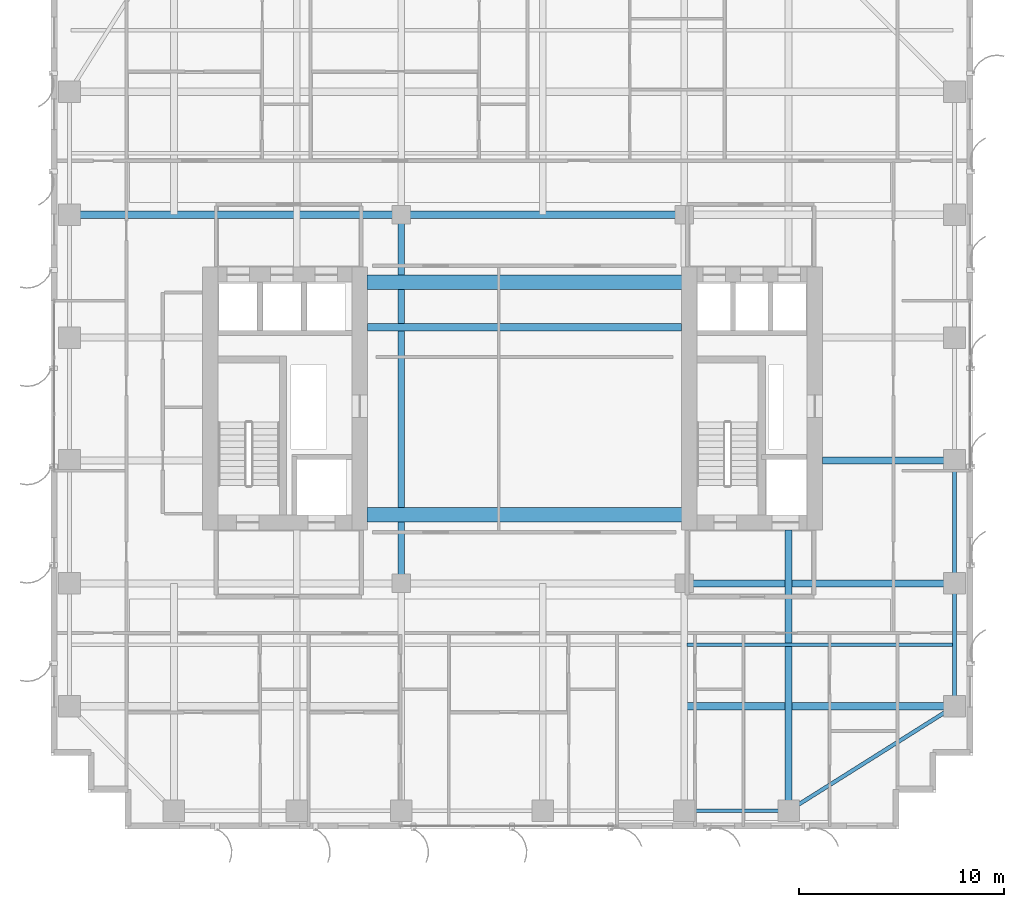
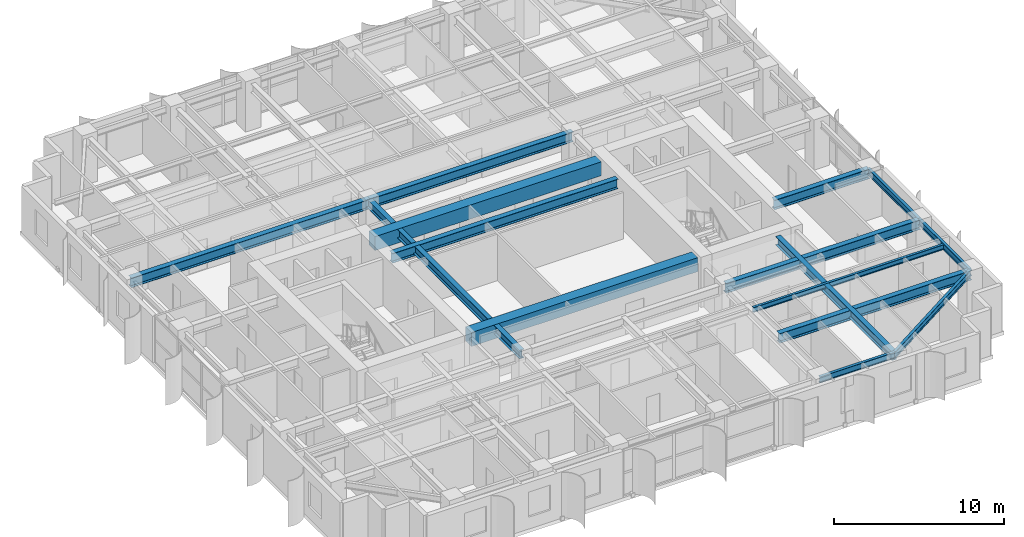
# One storey, part 5 of 22: 15 beams.
"""IFC4 building model written with IfcOpenShell, lengths in metres."""

import ifcopenshell
import ifcopenshell.guid

model = None  # the IFC model being written
_history = None  # IfcOwnerHistory: only IFC2X3 demands one
_inside = {}  # id of a spatial element -> (the spatial element, [elements in it])
_under = {}  # id of a project, library or spatial element -> (it, [spatial elements below it])
_declared = {}  # id of a project -> (the project, [libraries it declares])
_typed = {}  # id of a type object -> (the type object, [elements of that type])
_made_of = {}  # id of a material, layer set ... -> (it, [elements and type objects made of it])


def new_model(schema):
    """Start an empty IFC model of exactly this schema.

    Asked for "IFC4X3", IfcOpenShell would pick the latest addendum, in which some entities
    have other attributes; the version numbers below select the first issue.
    IFC2X3 requires an IfcOwnerHistory on every rooted entity: one is made here for all.
    """
    global model, _history
    if schema == "IFC4X3":
        model = ifcopenshell.file(schema_version=(4, 3, 0, 0))
    else:
        model = ifcopenshell.file(schema=schema)
    _inside.clear()
    _under.clear()
    _declared.clear()
    _typed.clear()
    _made_of.clear()
    _history = None
    if model.schema == "IFC2X3":
        org = make("IfcOrganization", Name="unknown")
        user = make(
            "IfcPersonAndOrganization",
            ThePerson=make("IfcPerson", FamilyName="unknown"),
            TheOrganization=org,
        )
        app = make(
            "IfcApplication",
            ApplicationDeveloper=org,
            Version="unknown",
            ApplicationFullName="unknown",
            ApplicationIdentifier="unknown",
        )
        _history = make(
            "IfcOwnerHistory",
            OwningUser=user,
            OwningApplication=app,
            ChangeAction="ADDED",
            CreationDate=0,
        )
    return model


def make(cls, **values):
    """One entity of the class cls with the attributes given. An attribute that is None is left unset."""
    return model.create_entity(
        cls, **{name: value for name, value in values.items() if value is not None}
    )


def rooted(cls, **values):
    """An entity with a GlobalId (a new one), such as an element, a storey or a relation."""
    return make(cls, GlobalId=ifcopenshell.guid.new(), OwnerHistory=_history, **values)


def si_unit(unit_type, name, prefix=None):
    """IfcSIUnit, for example si_unit("LENGTHUNIT", "METRE", prefix="MILLI")."""
    return make("IfcSIUnit", UnitType=unit_type, Prefix=prefix, Name=name)


def assignment(units):
    """IfcUnitAssignment: the units of a project."""
    return None if units is None else make("IfcUnitAssignment", Units=units)


def point(xyz):
    """IfcCartesianPoint."""
    return None if xyz is None else make("IfcCartesianPoint", Coordinates=xyz)


def direction(xyz):
    """IfcDirection."""
    return None if xyz is None else make("IfcDirection", DirectionRatios=xyz)


def frame(location, z_axis=None, x_axis=None):
    """IfcAxis2Placement3D, a coordinate frame: its origin and axes. An axis left out is left unset."""
    return make(
        "IfcAxis2Placement3D",
        Location=point(location),
        Axis=direction(z_axis),
        RefDirection=direction(x_axis),
    )


def frame_2d(location, x_axis=None):
    """IfcAxis2Placement2D, a coordinate frame in the plane: its origin and x axis."""
    return make(
        "IfcAxis2Placement2D", Location=point(location), RefDirection=direction(x_axis)
    )


def origin():
    """The frame at (0, 0, 0) with its axes left unset."""
    return frame((0.0, 0.0, 0.0))


def origin_2d():
    """The frame at (0, 0) in the plane with its x axis left unset."""
    return frame_2d((0.0, 0.0))


def place(relative_to, where):
    """IfcLocalPlacement: puts the frame where relative to a parent placement (None: the world)."""
    return make(
        "IfcLocalPlacement", PlacementRelTo=relative_to, RelativePlacement=where
    )


def context(
    kind, dimensions, precision=None, world=None, true_north=None, identifier=None
):
    """IfcGeometricRepresentationContext, for example the 3D "Model" context."""
    return make(
        "IfcGeometricRepresentationContext",
        ContextIdentifier=identifier,
        ContextType=kind,
        CoordinateSpaceDimension=dimensions,
        Precision=precision,
        WorldCoordinateSystem=world,
        TrueNorth=true_north,
    )


def subcontext(parent, identifier, kind, view, scale=None):
    """IfcGeometricRepresentationSubContext, for example "Body" below "Model"."""
    return make(
        "IfcGeometricRepresentationSubContext",
        ContextIdentifier=identifier,
        ContextType=kind,
        ParentContext=parent,
        TargetScale=scale,
        TargetView=view,
    )


def project(units=None, contexts=None):
    """IfcProject with its units and contexts."""
    return rooted(
        "IfcProject",
        Name="project",
        RepresentationContexts=contexts,
        UnitsInContext=assignment(units),
    )


def spatial(cls, under=None, at=None, **own):
    """A site, building, storey or space (cls), placed at a placement, below another one or the project."""
    s = rooted(cls, ObjectPlacement=at, **own)
    if under is not None:
        _under.setdefault(under.id(), (under, []))[1].append(s)
    return s


def profile(cls, at=None, kind="AREA", **sizes):
    """A parametric profile (cls). Its sizes go by their IFC names, for example OverallWidth=200.0."""
    return make(cls, ProfileType=kind, Position=at, **sizes)


def rectangle(**sizes):
    """IfcRectangleProfileDef."""
    return profile("IfcRectangleProfileDef", **sizes)


def i_section(**sizes):
    """IfcIShapeProfileDef."""
    return profile("IfcIShapeProfileDef", **sizes)


def extrude(swept, where, along, depth):
    """IfcExtrudedAreaSolid: the profile swept, set in the frame where, extruded along a direction by depth."""
    return make(
        "IfcExtrudedAreaSolid",
        SweptArea=swept,
        Position=where,
        ExtrudedDirection=direction(along),
        Depth=depth,
    )


def shape(context_of_items, identifier, shape_type, items):
    """IfcShapeRepresentation: the items that make up one representation, for example the "Body"."""
    return make(
        "IfcShapeRepresentation",
        ContextOfItems=context_of_items,
        RepresentationIdentifier=identifier,
        RepresentationType=shape_type,
        Items=items,
    )


def source(mapping_origin, context_of_items, identifier, shape_type, items):
    """IfcRepresentationMap: a shape defined once, which mapped items show again and again."""
    return make(
        "IfcRepresentationMap",
        MappingOrigin=mapping_origin,
        MappedRepresentation=shape(context_of_items, identifier, shape_type, items),
    )


def transform(
    local_origin,
    x_axis=None,
    y_axis=None,
    z_axis=None,
    scale=None,
    scale2=None,
    scale3=None,
    uniform=True,
):
    """IfcCartesianTransformationOperator3D, or its non-uniform kind. x_axis, y_axis, z_axis: its Axis1, 2, 3."""
    if uniform:
        return make(
            "IfcCartesianTransformationOperator3D",
            Axis1=direction(x_axis),
            Axis2=direction(y_axis),
            LocalOrigin=point(local_origin),
            Scale=scale,
            Axis3=direction(z_axis),
        )
    return make(
        "IfcCartesianTransformationOperator3DnonUniform",
        Axis1=direction(x_axis),
        Axis2=direction(y_axis),
        LocalOrigin=point(local_origin),
        Scale=scale,
        Axis3=direction(z_axis),
        Scale2=scale2,
        Scale3=scale3,
    )


def mapped(mapping_source, mapping_target):
    """IfcMappedItem: shows the shape of a source again, moved by a transform."""
    return make(
        "IfcMappedItem", MappingSource=mapping_source, MappingTarget=mapping_target
    )


def material(Name=None, Category=None):
    """IfcMaterial."""
    return make("IfcMaterial", Name=Name, Category=Category)


def material_profile(
    of_material, cross_section, Name=None, Category=None, Priority=None
):
    """IfcMaterialProfile: a cross section and its material."""
    return make(
        "IfcMaterialProfile",
        Name=Name,
        Material=of_material,
        Profile=cross_section,
        Priority=Priority,
        Category=Category,
    )


def profile_set(profiles, Name=None, composite=None):
    """IfcMaterialProfileSet."""
    return make(
        "IfcMaterialProfileSet",
        Name=Name,
        MaterialProfiles=profiles,
        CompositeProfile=composite,
    )


def made_of(thing, what):
    """Note that an element or type object is made of a material, layer set ...; save() writes the relation."""
    if what is not None:
        _made_of.setdefault(what.id(), (what, []))[1].append(thing)
    return thing


def type_object(cls, material=None, **own):
    """A type object (cls), such as IfcWallType, which elements share."""
    return made_of(rooted(cls, **own), material)


def element(
    cls,
    number,
    at=None,
    inside=None,
    cuts=None,
    type_object=None,
    material=None,
    context=None,
    identifier="Body",
    shape_type=None,
    held_by="IfcProductDefinitionShape",
    body=None,
    shapes=None,
    **own,
):
    """One element of the class cls, such as IfcWall. Its Tag is "e" and its number.

    at: its placement. inside: the storey or other place that contains it. cuts: it is an
    opening in that element (IfcRelVoidsElement). A single representation is given by context,
    identifier, shape_type and body (its items); several are given by shapes. held_by: the class
    of the entity that holds the representations. save() writes the other relations.
    """
    e = rooted(cls, Tag="e%d" % number, ObjectPlacement=at, **own)
    if body is not None:
        shapes = [shape(context, identifier, shape_type, body)]
    if shapes is not None:
        e.Representation = make(held_by, Representations=shapes)
    if inside is not None:
        _inside.setdefault(inside.id(), (inside, []))[1].append(e)
    if cuts is not None:
        rooted(
            "IfcRelVoidsElement", RelatingBuildingElement=cuts, RelatedOpeningElement=e
        )
    if type_object is not None:
        _typed.setdefault(type_object.id(), (type_object, []))[1].append(e)
    return made_of(e, material)


def aggregate(whole, parts):
    """IfcRelAggregates: a whole, such as a stair, and the parts it consists of."""
    return rooted("IfcRelAggregates", RelatingObject=whole, RelatedObjects=parts)


def save(model, path):
    """Write the relations noted so far, then the file.

    IfcRelAggregates (storeys below a building ...), IfcRelContainedInSpatialStructure (elements
    in a storey), IfcRelDefinesByType, IfcRelAssociatesMaterial and IfcRelDeclares: one each for
    every whole, place, type object, material and project.
    """
    for whole, parts in _under.values():
        aggregate(whole, parts)
    for where, things in _inside.values():
        rooted(
            "IfcRelContainedInSpatialStructure",
            RelatedElements=things,
            RelatingStructure=where,
        )
    for kind, things in _typed.values():
        rooted("IfcRelDefinesByType", RelatedObjects=things, RelatingType=kind)
    for what, things in _made_of.values():
        rooted("IfcRelAssociatesMaterial", RelatedObjects=things, RelatingMaterial=what)
    for by, libraries in _declared.values():
        rooted("IfcRelDeclares", RelatingContext=by, RelatedDefinitions=libraries)
    model.write(path)


model = new_model("IFC4")

# Units and contexts
model_context = context("Model", 3, precision=1e-05, world=origin(), true_north=direction((0.0, 1.0)))
body_context = subcontext(model_context, "Body", "Model", "MODEL_VIEW")
ifc_project = project(units=[si_unit("LENGTHUNIT", "METRE"), si_unit("AREAUNIT", "SQUARE_METRE"), si_unit("VOLUMEUNIT", "CUBIC_METRE"), si_unit("PLANEANGLEUNIT", "RADIAN"), si_unit("MASSUNIT", "GRAM", prefix="KILO")], contexts=[model_context])

# Site, building, storey
site_placement = place(None, origin())
site = spatial("IfcSite", under=ifc_project, at=site_placement, CompositionType="ELEMENT")
building_placement = place(site_placement, origin())
building = spatial("IfcBuilding", under=site, at=building_placement, Name="Khoralis Quay Care Tower", CompositionType="ELEMENT")
storey_placement = place(building_placement, frame((0.0, 0.0, 94.5)))
storey = spatial("IfcBuildingStorey", under=building, at=storey_placement, Name="L24", CompositionType="ELEMENT", Elevation=94.5)

# Beams
ifc_material_1 = material(Name="Concrete C80/95", Category="concrete")
ifc_material_profile_1 = material_profile(ifc_material_1, rectangle(XDim=0.699951171875, YDim=1.0, at=origin_2d()), Name="Concrete C80/95")
ifc_profile_set_1 = profile_set([ifc_material_profile_1], Name="Concrete C80/95")
beam_type_1 = type_object("IfcBeamType", Name="CB-RC700X1000", PredefinedType="LINTEL", material=ifc_profile_set_1)
shared_shape_1 = source(origin(), body_context, "Body", "SweptSolid", [
    extrude(rectangle(XDim=0.699951171875, YDim=1.0, at=origin_2d()), origin(), (0.0, 0.0, 1.0), 15.380126953125),
])
for number, where, z_axis, x_axis, name in (
    (1, (15.419921875, 15.35009765625, 2.840087890625), (1.0, 0.0, 0.0), (0.0, 1.0, 0.0), "L24 South Core Coupling Lintel"),
    (2, (15.419921875, 26.699951171875, 2.840087890625), (1.0, 0.0, 0.0), (0.0, 1.0, 0.0), "L24 North Core Coupling Lintel"),
):
    element("IfcBeam", number, at=place(storey_placement, frame(where, z_axis=z_axis, x_axis=x_axis)), inside=storey, type_object=beam_type_1, Name=name, PredefinedType="LINTEL", context=body_context, shape_type="MappedRepresentation", body=[
        mapped(shared_shape_1, transform((0.0, 0.0, 0.0), scale=1.0)),
    ])
ifc_material_2 = material(Name="Steel S355", Category="steel")
ifc_material_profile_2 = material_profile(ifc_material_2, i_section(OverallWidth=0.18994140625, OverallDepth=0.449951171875, WebThickness=0.009521484375, FlangeThickness=0.0146484375, FilletRadius=0.02099609375, at=origin_2d()), Name="Steel S355")
ifc_profile_set_2 = profile_set([ifc_material_profile_2], Name="Steel S355")
beam_type_2 = type_object("IfcBeamType", Name="BM-IPE450", PredefinedType="SPANDREL", material=ifc_profile_set_2)
shared_shape_2 = source(origin(), body_context, "Body", "SweptSolid", [
    extrude(i_section(OverallWidth=0.18994140625, OverallDepth=0.449951171875, WebThickness=0.009521484375, FlangeThickness=0.0146484375, FilletRadius=0.02099609375, at=origin_2d()), origin(), (0.0, 0.0, 1.0), 6.0),
])
for number, where, z_axis, x_axis, name in (
    (3, (44.10009765625, 6.0, 3.114990234375), (0.0, 1.0, 0.0), (-1.0, 0.0, 0.0), "BM-TSP-L24-16"),
    (4, (44.10009765625, 12.0, 3.114990234375), (0.0, 1.0, 0.0), (-1.0, 0.0, 0.0), "BM-TSP-L24-17"),
):
    element("IfcBeam", number, at=place(storey_placement, frame(where, z_axis=z_axis, x_axis=x_axis)), inside=storey, type_object=beam_type_2, Name=name, PredefinedType="SPANDREL", context=body_context, shape_type="MappedRepresentation", body=[
        mapped(shared_shape_2, transform((0.0, 0.0, 0.0), scale=1.0)),
    ])
shared_shape_3 = source(origin(), body_context, "Body", "SweptSolid", [
    extrude(i_section(OverallWidth=0.18994140625, OverallDepth=0.449951171875, WebThickness=0.009521484375, FlangeThickness=0.0146484375, FilletRadius=0.02099609375, at=origin_2d()), origin(), (0.0, 0.0, 1.0), 5.10009765625),
])
beam_1_placement = place(storey_placement, frame((30.89990234375, 0.89990234375, 3.114990234375), z_axis=(1.0, 0.0, 0.0), x_axis=(0.0, 1.0, 0.0)))
element("IfcBeam", 5, at=beam_1_placement, inside=storey, type_object=beam_type_2, Name="BM-TSP-L24-05", PredefinedType="SPANDREL", context=body_context, shape_type="MappedRepresentation", body=[
    mapped(shared_shape_3, transform((0.0, 0.0, 0.0), scale=1.0)),
])
ifc_material_profile_3 = material_profile(ifc_material_2, i_section(OverallWidth=0.35498046875, OverallDepth=0.695068359375, WebThickness=0.015380859375, FlangeThickness=0.02490234375, FilletRadius=0.02001953125, at=origin_2d()), Name="Steel S355")
ifc_profile_set_3 = profile_set([ifc_material_profile_3], Name="Steel S355")
beam_type_3 = type_object("IfcBeamType", Name="BM-W690X217", PredefinedType="BEAM", material=ifc_profile_set_3)
shared_shape_4 = source(origin(), body_context, "Body", "SweptSolid", [
    extrude(i_section(OverallWidth=0.35498046875, OverallDepth=0.695068359375, WebThickness=0.015380859375, FlangeThickness=0.02490234375, FilletRadius=0.02001953125, at=origin_2d()), origin(), (0.0, 0.0, 1.0), 16.2001953125),
])
beam_2_placement = place(storey_placement, frame((0.89990234375, 30.0, 2.992431640625), z_axis=(1.0, 0.0, 0.0), x_axis=(0.0, 1.0, 0.0)))
element("IfcBeam", 6, at=beam_2_placement, inside=storey, type_object=beam_type_3, Name="BM-TGXW-L24-300", PredefinedType="BEAM", context=body_context, shape_type="MappedRepresentation", body=[
    mapped(shared_shape_4, transform((0.0, 0.0, 0.0), scale=1.0)),
])
shared_shape_5 = source(origin(), body_context, "Body", "SweptSolid", [
    extrude(i_section(OverallWidth=0.35498046875, OverallDepth=0.695068359375, WebThickness=0.015380859375, FlangeThickness=0.02490234375, FilletRadius=0.02001953125, at=origin_2d()), origin(), (0.0, 0.0, 1.0), 13.7998046875),
])
beam_3_placement = place(storey_placement, frame((17.10009765625, 30.0, 2.992431640625), z_axis=(1.0, 0.0, 0.0), x_axis=(0.0, 1.0, 0.0)))
element("IfcBeam", 7, at=beam_3_placement, inside=storey, type_object=beam_type_3, Name="BM-TGCC-L24-300", PredefinedType="BEAM", context=body_context, shape_type="MappedRepresentation", body=[
    mapped(shared_shape_5, transform((0.0, 0.0, 0.0), scale=1.0)),
])
ifc_material_profile_4 = material_profile(ifc_material_2, i_section(OverallWidth=0.324951171875, OverallDepth=0.615966796875, WebThickness=0.013916015625, FlangeThickness=0.021484375, FilletRadius=0.01806640625, at=origin_2d()), Name="Steel S355")
ifc_profile_set_4 = profile_set([ifc_material_profile_4], Name="Steel S355")
beam_type_4 = type_object("IfcBeamType", Name="BM-W610X174", PredefinedType="BEAM", material=ifc_profile_set_4)
shared_shape_6 = source(origin(), body_context, "Body", "SweptSolid", [
    extrude(i_section(OverallWidth=0.324951171875, OverallDepth=0.615966796875, WebThickness=0.013916015625, FlangeThickness=0.021484375, FilletRadius=0.01806640625, at=origin_2d()), origin(), (0.0, 0.0, 1.0), 18.0),
])
beam_4_placement = place(storey_placement, frame((17.10009765625, 12.0, 3.031982421875), z_axis=(0.0, 1.0, 0.0), x_axis=(-1.0, 0.0, 0.0)))
element("IfcBeam", 8, at=beam_4_placement, inside=storey, type_object=beam_type_4, Name="BM-TGSW-L24", PredefinedType="BEAM", context=body_context, shape_type="MappedRepresentation", body=[
    mapped(shared_shape_6, transform((0.0, 0.0, 0.0), scale=1.0)),
])
shared_shape_7 = source(origin(), body_context, "Body", "SweptSolid", [
    extrude(i_section(OverallWidth=0.18994140625, OverallDepth=0.449951171875, WebThickness=0.009521484375, FlangeThickness=0.0146484375, FilletRadius=0.02099609375, at=origin_2d()), origin(), (0.0, 0.0, 1.0), 9.572021484375),
])
beam_5_placement = place(storey_placement, frame((36.0, 0.89990234375, 3.114990234375), z_axis=(0.846231136359, 0.532815975602, 0.0), x_axis=(-0.532815975602, 0.846231136359, 0.0)))
element("IfcBeam", 9, at=beam_5_placement, inside=storey, type_object=beam_type_2, Name="BM-TCR-L24-22", PredefinedType="SPANDREL", context=body_context, shape_type="MappedRepresentation", body=[
    mapped(shared_shape_7, transform((0.0, 0.0, 0.0), scale=1.0)),
])
shared_shape_8 = source(origin(), body_context, "Body", "SweptSolid", [
    extrude(i_section(OverallWidth=0.35498046875, OverallDepth=0.695068359375, WebThickness=0.015380859375, FlangeThickness=0.02490234375, FilletRadius=0.02001953125, at=origin_2d()), origin(), (0.0, 0.0, 1.0), 13.049560546875),
])
beam_6_placement = place(storey_placement, frame((31.050537109375, 6.0, 2.992431640625), z_axis=(1.0, 0.0, 0.0), x_axis=(0.0, 1.0, 0.0)))
element("IfcBeam", 10, at=beam_6_placement, inside=storey, type_object=beam_type_3, Name="BM-TGXE-L24-60", PredefinedType="BEAM", context=body_context, shape_type="MappedRepresentation", body=[
    mapped(shared_shape_8, transform((0.0, 0.0, 0.0), scale=1.0)),
])
shared_shape_9 = source(origin(), body_context, "Body", "SweptSolid", [
    extrude(i_section(OverallWidth=0.35498046875, OverallDepth=0.695068359375, WebThickness=0.015380859375, FlangeThickness=0.02490234375, FilletRadius=0.02001953125, at=origin_2d()), origin(), (0.0, 0.0, 1.0), 13.2001953125),
])
beam_7_placement = place(storey_placement, frame((30.89990234375, 12.0, 2.992431640625), z_axis=(1.0, 0.0, 0.0), x_axis=(0.0, 1.0, 0.0)))
element("IfcBeam", 11, at=beam_7_placement, inside=storey, type_object=beam_type_3, Name="BM-TGXE-L24-120", PredefinedType="BEAM", context=body_context, shape_type="MappedRepresentation", body=[
    mapped(shared_shape_9, transform((0.0, 0.0, 0.0), scale=1.0)),
])
shared_shape_10 = source(origin(), body_context, "Body", "SweptSolid", [
    extrude(i_section(OverallWidth=0.35498046875, OverallDepth=0.695068359375, WebThickness=0.015380859375, FlangeThickness=0.02490234375, FilletRadius=0.02001953125, at=origin_2d()), origin(), (0.0, 0.0, 1.0), 6.4521484375),
])
beam_8_placement = place(storey_placement, frame((37.64794921875, 18.0, 2.992431640625), z_axis=(1.0, 0.0, 0.0), x_axis=(0.0, 1.0, 0.0)))
element("IfcBeam", 12, at=beam_8_placement, inside=storey, type_object=beam_type_3, Name="BM-TGXE-L24-180", PredefinedType="BEAM", context=body_context, shape_type="MappedRepresentation", body=[
    mapped(shared_shape_10, transform((0.0, 0.0, 0.0), scale=1.0)),
])
shared_shape_11 = source(origin(), body_context, "Body", "SweptSolid", [
    extrude(i_section(OverallWidth=0.35498046875, OverallDepth=0.695068359375, WebThickness=0.015380859375, FlangeThickness=0.02490234375, FilletRadius=0.02001953125, at=origin_2d()), origin(), (0.0, 0.0, 1.0), 15.323974609375),
])
beam_9_placement = place(storey_placement, frame((15.447998046875, 24.5, 2.992431640625), z_axis=(1.0, 0.0, 0.0), x_axis=(0.0, 1.0, 0.0)))
element("IfcBeam", 13, at=beam_9_placement, inside=storey, type_object=beam_type_3, Name="BM-TGCC-L24-245", PredefinedType="BEAM", context=body_context, shape_type="MappedRepresentation", body=[
    mapped(shared_shape_11, transform((0.0, 0.0, 0.0), scale=1.0)),
])
shared_shape_12 = source(origin(), body_context, "Body", "SweptSolid", [
    extrude(i_section(OverallWidth=0.324951171875, OverallDepth=0.615966796875, WebThickness=0.013916015625, FlangeThickness=0.021484375, FilletRadius=0.01806640625, at=origin_2d()), origin(), (0.0, 0.0, 1.0), 13.7021484375),
])
beam_10_placement = place(storey_placement, frame((36.0, 0.89990234375, 3.031982421875), z_axis=(0.0, 1.0, 0.0), x_axis=(-1.0, 0.0, 0.0)))
element("IfcBeam", 14, at=beam_10_placement, inside=storey, type_object=beam_type_4, Name="BM-TGYS-L24-360", PredefinedType="BEAM", context=body_context, shape_type="MappedRepresentation", body=[
    mapped(shared_shape_12, transform((0.0, 0.0, 0.0), scale=1.0)),
])
ifc_material_profile_5 = material_profile(ifc_material_2, i_section(OverallWidth=0.1708984375, OverallDepth=0.35498046875, WebThickness=0.007080078125, FlangeThickness=0.01171875, FilletRadius=0.012939453125, at=origin_2d()), Name="Steel S355")
ifc_profile_set_5 = profile_set([ifc_material_profile_5], Name="Steel S355")
beam_type_5 = type_object("IfcBeamType", Name="BM-W360X51", PredefinedType="JOIST", material=ifc_profile_set_5)
shared_shape_13 = source(origin(), body_context, "Body", "SweptSolid", [
    extrude(i_section(OverallWidth=0.1708984375, OverallDepth=0.35498046875, WebThickness=0.007080078125, FlangeThickness=0.01171875, FilletRadius=0.012939453125, at=origin_2d()), origin(), (0.0, 0.0, 1.0), 12.968505859375),
])
beam_11_placement = place(storey_placement, frame((31.050537109375, 9.0, 3.16259765625), z_axis=(1.0, 0.0, 0.0), x_axis=(0.0, 1.0, 0.0)))
element("IfcBeam", 15, at=beam_11_placement, inside=storey, type_object=beam_type_5, Name="BM-TJS-L24-26", PredefinedType="JOIST", context=body_context, shape_type="MappedRepresentation", body=[
    mapped(shared_shape_13, transform((0.0, 0.0, 0.0), scale=1.0)),
])

save(model, "model.ifc")
